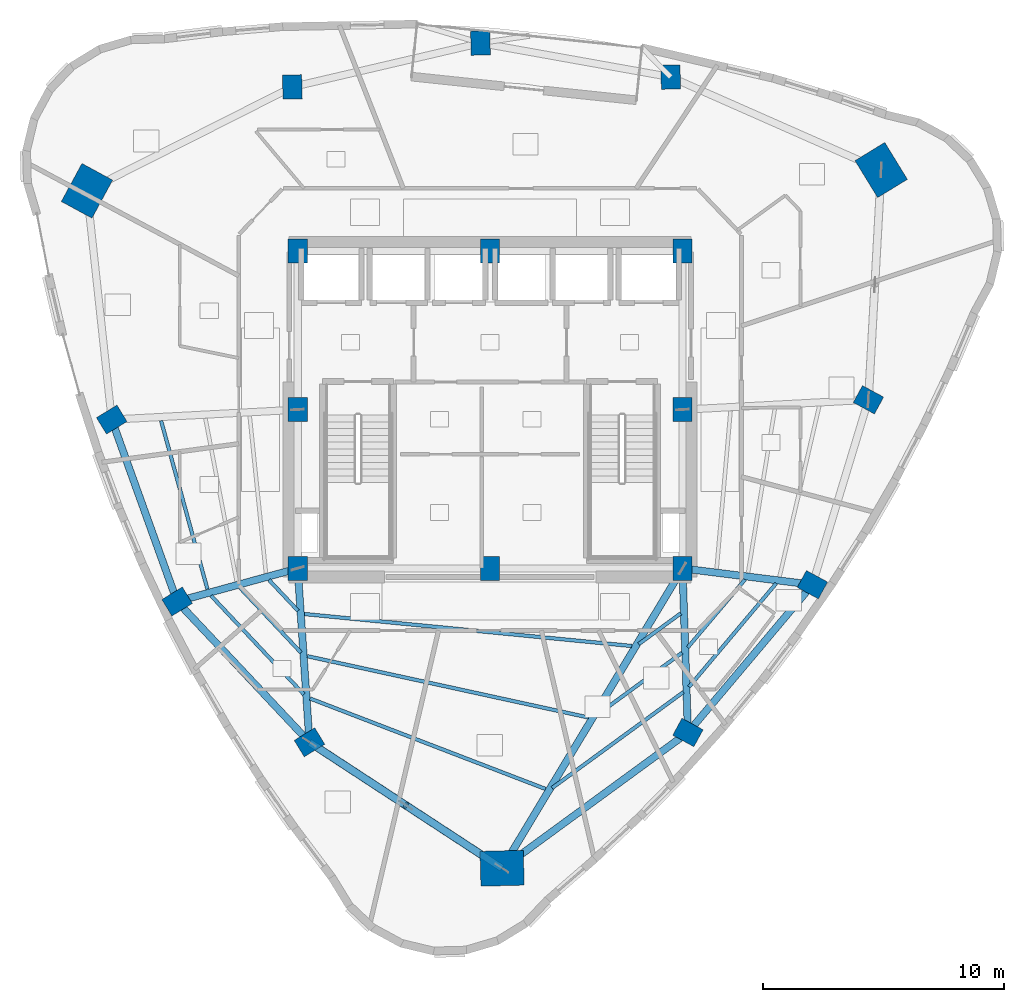
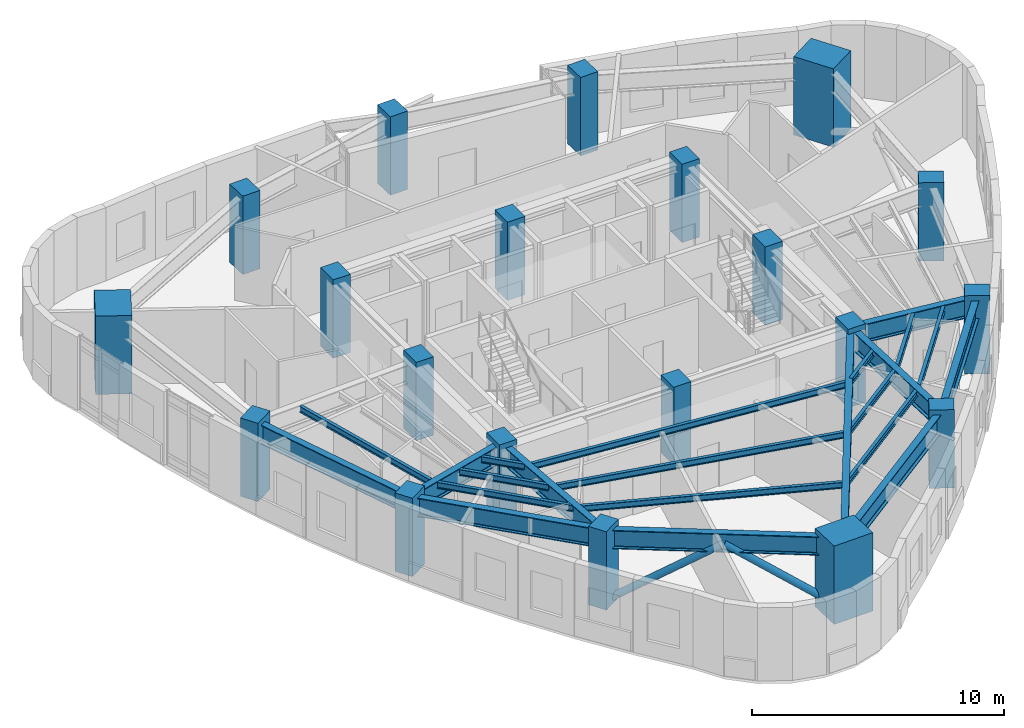
# One storey, part 1 of 16: 22 beams, 20 columns, 2 members.
"""IFC4 building model written with IfcOpenShell, lengths in metres."""

from ifc_helpers import new_model, si_unit, direction, frame, origin, origin_2d, place, context, subcontext, project, spatial, rectangle, hollow_circle, i_section, extrude, material, material_profile, profile_set, type_object, element, save


model = new_model("IFC4")

# Units and contexts
model_context = context("Model", 3, precision=1e-05, world=origin(), true_north=direction((0.0, 1.0)))
body_context = subcontext(model_context, "Body", "Model", "MODEL_VIEW")
ifc_project = project(units=[si_unit("LENGTHUNIT", "METRE"), si_unit("AREAUNIT", "SQUARE_METRE"), si_unit("VOLUMEUNIT", "CUBIC_METRE"), si_unit("PLANEANGLEUNIT", "RADIAN"), si_unit("MASSUNIT", "GRAM", prefix="KILO")], contexts=[model_context])

# Site, building, storey
site_placement = place(None, origin())
site = spatial("IfcSite", under=ifc_project, at=site_placement, CompositionType="ELEMENT")
building_placement = place(site_placement, origin())
building = spatial("IfcBuilding", under=site, at=building_placement, Name="Ndelora Gate Hotel", CompositionType="ELEMENT")
storey_placement = place(building_placement, frame((0.0, 0.0, 182.75)))
storey = spatial("IfcBuildingStorey", under=building, at=storey_placement, Name="L45", CompositionType="ELEMENT", Elevation=182.75)

# Columns
ifc_material_1 = material(Name="Concrete C50/60", Category="concrete")
ifc_material_profile_1 = material_profile(ifc_material_1, rectangle(XDim=0.800048828125, YDim=1.0, at=origin_2d()), Name="RC 1000x800")
ifc_profile_set_1 = profile_set([ifc_material_profile_1], Name="Concrete C50/60")
column_type_1 = type_object("IfcColumnType", Name="COL-CC-HI", PredefinedType="COLUMN", material=ifc_profile_set_1)
for number, where, z_axis, x_axis, name in (
    (1, (-8.0, -6.60009765625, 0.0), (0.0, 0.0, 1.0), (1.0, 0.0, 0.0), "L45 Core Column CC1"),
    (2, (0.0, -6.60009765625, 0.0), (0.0, 0.0, 1.0), (1.0, 0.0, 0.0), "L45 Core Column CC2"),
    (3, (8.0, -6.60009765625, 0.0), (0.0, 0.0, 1.0), (1.0, 0.0, 0.0), "L45 Core Column CC3"),
    (4, (8.0, 0.0, 0.0), (0.0, 0.0, 1.0), (1.0, 0.0, 0.0), "L45 Core Column CC4"),
    (5, (8.0, 6.60009765625, 0.0), (0.0, 0.0, 1.0), (1.0, 0.0, 0.0), "L45 Core Column CC5"),
    (6, (0.0, 6.60009765625, 0.0), (0.0, 0.0, 1.0), (1.0, 0.0, 0.0), "L45 Core Column CC6"),
    (7, (-8.0, 6.60009765625, 0.0), (0.0, 0.0, 1.0), (1.0, 0.0, 0.0), "L45 Core Column CC7"),
    (8, (-8.0, 0.0, 0.0), (0.0, 0.0, 1.0), (1.0, 0.0, 0.0), "L45 Core Column CC8"),
):
    element("IfcColumn", number, at=place(storey_placement, frame(where, z_axis=z_axis, x_axis=x_axis)), inside=storey, type_object=column_type_1, Name=name, PredefinedType="COLUMN", context=body_context, shape_type="SweptSolid", body=[
        extrude(rectangle(XDim=0.800048828125, YDim=1.0, at=origin_2d()), origin(), (0.0, 0.0, 1.0), 3.800048828125),
    ])
ifc_material_profile_2 = material_profile(ifc_material_1, rectangle(XDim=1.449951171875, YDim=1.800048828125, at=origin_2d()), Name="RC 1800x1450")
ifc_profile_set_2 = profile_set([ifc_material_profile_2], Name="Concrete C50/60")
column_type_2 = type_object("IfcColumnType", Name="COL-MC-Z3", PredefinedType="COLUMN", material=ifc_profile_set_2)
for number, where, z_axis, x_axis, name in (
    (9, (-16.759521484375, 9.099609375, 0.0), (0.0, 0.0, 1.0), (-0.878817112662, 0.47715876026, 0.0), "L45 Corner Mega-Column R1"),
    (10, (0.499267578125, -19.064208984375, 0.0), (0.0, 0.0, 1.0), (-0.026176948308, 0.999657324976, 0.0), "L45 Corner Mega-Column R5"),
    (11, (16.26025390625, 9.96435546875, 0.0), (0.0, 0.0, 1.0), (0.852640164354, 0.522498564716, 0.0), "L45 Corner Mega-Column R9"),
):
    element("IfcColumn", number, at=place(storey_placement, frame(where, z_axis=z_axis, x_axis=x_axis)), inside=storey, type_object=column_type_2, Name=name, PredefinedType="COLUMN", context=body_context, shape_type="SweptSolid", body=[
        extrude(rectangle(XDim=1.449951171875, YDim=1.800048828125, at=origin_2d()), origin(), (0.0, 0.0, 1.0), 3.800048828125),
    ])
ifc_material_profile_3 = material_profile(ifc_material_1, rectangle(XDim=0.800048828125, YDim=1.0, at=origin_2d()), Name="RC 1000x800")
ifc_profile_set_3 = profile_set([ifc_material_profile_3], Name="Concrete C50/60")
column_type_3 = type_object("IfcColumnType", Name="COL-PT-Z3", PredefinedType="COLUMN", material=ifc_profile_set_3)
for number, where, z_axis, x_axis, name in (
    (12, (-15.72998046875, -0.411865234375, 0.0), (0.0, 0.0, 1.0), (-0.522498564716, 0.852640164354, 0.0), "L45 Perimeter Tube Column R2"),
    (13, (-13.011962890625, -7.973876953125, 0.0), (0.0, 0.0, 1.0), (-0.522498564716, 0.852640164354, 0.0), "L45 Perimeter Tube Column R3"),
    (14, (-7.50830078125, -13.828369140625, 0.0), (0.0, 0.0, 1.0), (-0.522498564716, 0.852640164354, 0.0), "L45 Perimeter Tube Column R4"),
    (15, (8.223876953125, -13.419921875, 0.0), (0.0, 0.0, 1.0), (0.47715876026, 0.878817112662, 0.0), "L45 Perimeter Tube Column R6"),
    (16, (13.400390625, -7.275634765625, 0.0), (0.0, 0.0, 1.0), (0.47715876026, 0.878817112662, 0.0), "L45 Perimeter Tube Column R7"),
    (17, (15.72998046875, 0.411865234375, 0.0), (0.0, 0.0, 1.0), (0.47715876026, 0.878817112662, 0.0), "L45 Perimeter Tube Column R8"),
    (18, (7.50830078125, 13.828369140625, 0.0), (0.0, 0.0, 1.0), (0.999657324976, 0.026176948308, 0.0), "L45 Perimeter Tube Column R10"),
    (19, (-0.399169921875, 15.242919921875, 0.0), (0.0, 0.0, 1.0), (0.999657324976, 0.026176948308, 0.0), "L45 Perimeter Tube Column R11"),
    (20, (-8.2216796875, 13.41650390625, 0.0), (0.0, 0.0, 1.0), (0.999657324976, 0.026176948308, 0.0), "L45 Perimeter Tube Column R12"),
):
    element("IfcColumn", number, at=place(storey_placement, frame(where, z_axis=z_axis, x_axis=x_axis)), inside=storey, type_object=column_type_3, Name=name, PredefinedType="COLUMN", context=body_context, shape_type="SweptSolid", body=[
        extrude(rectangle(XDim=0.800048828125, YDim=1.0, at=origin_2d()), origin(), (0.0, 0.0, 1.0), 3.800048828125),
    ])

# Beams
ifc_material_2 = material(Name="Steel S460", Category="steel")
ifc_material_profile_4 = material_profile(ifc_material_2, i_section(OverallWidth=0.300048828125, OverallDepth=0.89990234375, WebThickness=0.0185546875, FlangeThickness=0.034912109375, FilletRadius=0.030029296875, at=origin_2d()), Name="HEB 900")
ifc_profile_set_4 = profile_set([ifc_material_profile_4], Name="Steel S460")
beam_type_1 = type_object("IfcBeamType", Name="BM-BELT-900", PredefinedType="SPANDREL", material=ifc_profile_set_4)
beam_1_placement = place(storey_placement, frame((-15.72998046875, -0.411865234375, 3.10009765625), z_axis=(0.338244972382, -0.941058095262, 0.0), x_axis=(0.941058095262, 0.338244972382, 0.0)))
element("IfcBeam", 21, at=beam_1_placement, inside=storey, type_object=beam_type_1, Name="L45 Perimeter Spandrel Girder 2", PredefinedType="SPANDREL", context=body_context, shape_type="SweptSolid", body=[
    extrude(i_section(OverallWidth=0.300048828125, OverallDepth=0.89990234375, WebThickness=0.0185546875, FlangeThickness=0.034912109375, FilletRadius=0.030029296875, at=origin_2d()), origin(), (0.0, 0.0, 1.0), 8.03564453125),
])
beam_2_placement = place(storey_placement, frame((-13.011962890625, -7.973876953125, 3.10009765625), z_axis=(0.684939043371, -0.728600375285, 0.0), x_axis=(0.728600375285, 0.684939043371, 0.0)))
element("IfcBeam", 22, at=beam_2_placement, inside=storey, type_object=beam_type_1, Name="L45 Perimeter Spandrel Girder 3", PredefinedType="SPANDREL", context=body_context, shape_type="SweptSolid", body=[
    extrude(i_section(OverallWidth=0.300048828125, OverallDepth=0.89990234375, WebThickness=0.0185546875, FlangeThickness=0.034912109375, FilletRadius=0.030029296875, at=origin_2d()), origin(), (0.0, 0.0, 1.0), 8.03515625),
])
beam_3_placement = place(storey_placement, frame((-7.50830078125, -13.828369140625, 3.10009765625), z_axis=(0.836963769915, -0.547258300851, 0.0), x_axis=(0.547258300851, 0.836963769915, 0.0)))
element("IfcBeam", 23, at=beam_3_placement, inside=storey, type_object=beam_type_1, Name="L45 Perimeter Spandrel Girder 4", PredefinedType="SPANDREL", context=body_context, shape_type="SweptSolid", body=[
    extrude(i_section(OverallWidth=0.300048828125, OverallDepth=0.89990234375, WebThickness=0.0185546875, FlangeThickness=0.034912109375, FilletRadius=0.030029296875, at=origin_2d()), origin(), (0.0, 0.0, 1.0), 9.5673828125),
])
beam_4_placement = place(storey_placement, frame((0.499267578125, -19.064208984375, 3.10009765625), z_axis=(0.807421980226, 0.58997436033, 0.0), x_axis=(-0.58997436033, 0.807421980226, 0.0)))
element("IfcBeam", 24, at=beam_4_placement, inside=storey, type_object=beam_type_1, Name="L45 Perimeter Spandrel Girder 5", PredefinedType="SPANDREL", context=body_context, shape_type="SweptSolid", body=[
    extrude(i_section(OverallWidth=0.300048828125, OverallDepth=0.89990234375, WebThickness=0.0185546875, FlangeThickness=0.034912109375, FilletRadius=0.030029296875, at=origin_2d()), origin(), (0.0, 0.0, 1.0), 9.56689453125),
])
beam_5_placement = place(storey_placement, frame((8.223876953125, -13.419921875, 3.10009765625), z_axis=(0.644308845181, 0.764765396721, 0.0), x_axis=(-0.764765396721, 0.644308845181, 0.0)))
element("IfcBeam", 25, at=beam_5_placement, inside=storey, type_object=beam_type_1, Name="L45 Perimeter Spandrel Girder 6", PredefinedType="SPANDREL", context=body_context, shape_type="SweptSolid", body=[
    extrude(i_section(OverallWidth=0.300048828125, OverallDepth=0.89990234375, WebThickness=0.0185546875, FlangeThickness=0.034912109375, FilletRadius=0.030029296875, at=origin_2d()), origin(), (0.0, 0.0, 1.0), 8.0341796875),
])
beam_6_placement = place(storey_placement, frame((-8.0, -6.60009765625, 3.10009765625), z_axis=(-0.96442695542, -0.264349480157, 0.0), x_axis=(0.264349480157, -0.96442695542, 0.0)))
element("IfcBeam", 26, at=beam_6_placement, inside=storey, type_object=beam_type_1, Name="L45 Radial Floor Girder 3", PredefinedType="SPANDREL", context=body_context, shape_type="SweptSolid", body=[
    extrude(i_section(OverallWidth=0.300048828125, OverallDepth=0.89990234375, WebThickness=0.0185546875, FlangeThickness=0.034912109375, FilletRadius=0.030029296875, at=origin_2d()), origin(), (0.0, 0.0, 1.0), 5.19677734375),
])
beam_7_placement = place(storey_placement, frame((-8.0, -6.60009765625, 3.10009765625), z_axis=(0.067867612113, -0.997694335569, 0.0), x_axis=(0.997694335569, 0.067867612113, 0.0)))
element("IfcBeam", 27, at=beam_7_placement, inside=storey, type_object=beam_type_1, Name="L45 Radial Floor Girder 4", PredefinedType="SPANDREL", context=body_context, shape_type="SweptSolid", body=[
    extrude(i_section(OverallWidth=0.300048828125, OverallDepth=0.89990234375, WebThickness=0.0185546875, FlangeThickness=0.034912109375, FilletRadius=0.030029296875, at=origin_2d()), origin(), (0.0, 0.0, 1.0), 7.244873046875),
])
beam_8_placement = place(storey_placement, frame((8.0, -6.60009765625, 3.10009765625), z_axis=(-0.515620753203, -0.856816922607, 0.0), x_axis=(0.856816922607, -0.515620753203, 0.0)))
element("IfcBeam", 28, at=beam_8_placement, inside=storey, type_object=beam_type_1, Name="L45 Radial Floor Girder 5", PredefinedType="SPANDREL", context=body_context, shape_type="SweptSolid", body=[
    extrude(i_section(OverallWidth=0.300048828125, OverallDepth=0.89990234375, WebThickness=0.0185546875, FlangeThickness=0.034912109375, FilletRadius=0.030029296875, at=origin_2d()), origin(), (0.0, 0.0, 1.0), 14.546875),
])
beam_9_placement = place(storey_placement, frame((8.0, -6.60009765625, 3.10009765625), z_axis=(0.032809705109, -0.999461616697, 0.0), x_axis=(0.999461616697, 0.032809705109, 0.0)))
element("IfcBeam", 29, at=beam_9_placement, inside=storey, type_object=beam_type_1, Name="L45 Radial Floor Girder 6", PredefinedType="SPANDREL", context=body_context, shape_type="SweptSolid", body=[
    extrude(i_section(OverallWidth=0.300048828125, OverallDepth=0.89990234375, WebThickness=0.0185546875, FlangeThickness=0.034912109375, FilletRadius=0.030029296875, at=origin_2d()), origin(), (0.0, 0.0, 1.0), 6.823486328125),
])
beam_10_placement = place(storey_placement, frame((8.0, -6.60009765625, 3.10009765625), z_axis=(0.992266830725, -0.124123070552, 0.0), x_axis=(0.124123070552, 0.992266830725, 0.0)))
element("IfcBeam", 30, at=beam_10_placement, inside=storey, type_object=beam_type_1, Name="L45 Radial Floor Girder 7", PredefinedType="SPANDREL", context=body_context, shape_type="SweptSolid", body=[
    extrude(i_section(OverallWidth=0.300048828125, OverallDepth=0.89990234375, WebThickness=0.0185546875, FlangeThickness=0.034912109375, FilletRadius=0.030029296875, at=origin_2d()), origin(), (0.0, 0.0, 1.0), 5.4423828125),
])
ifc_material_3 = material(Name="Steel S355", Category="steel")
ifc_material_profile_5 = material_profile(ifc_material_3, i_section(OverallWidth=0.14990234375, OverallDepth=0.300048828125, WebThickness=0.007080078125, FlangeThickness=0.0107421875, FilletRadius=0.014892578125, at=origin_2d()), Name="IPE 300")
ifc_profile_set_5 = profile_set([ifc_material_profile_5], Name="Steel S355")
beam_type_2 = type_object("IfcBeamType", Name="BM-JST-300", PredefinedType="JOIST", material=ifc_profile_set_5)
beam_11_placement = place(storey_placement, frame((-13.677734375, -0.458984375, 3.39990234375), z_axis=(0.265229916295, -0.964185195646, 0.0), x_axis=(0.964185195646, 0.265229916295, 0.0)))
element("IfcBeam", 31, at=beam_11_placement, inside=storey, type_object=beam_type_2, Name="L45 Secondary Composite Floor Joist OUT-2", PredefinedType="JOIST", context=body_context, shape_type="SweptSolid", body=[
    extrude(i_section(OverallWidth=0.14990234375, OverallDepth=0.300048828125, WebThickness=0.007080078125, FlangeThickness=0.0107421875, FilletRadius=0.014892578125, at=origin_2d()), origin(), (0.0, 0.0, 1.0), 7.263671875),
])
beam_12_placement = place(storey_placement, frame((-9.193603515625, -7.07373046875, 3.39990234375), z_axis=(0.684968612299, -0.728572577143, 0.0), x_axis=(0.728572577143, 0.684968612299, 0.0)))
element("IfcBeam", 32, at=beam_12_placement, inside=storey, type_object=beam_type_2, Name="L45 Secondary Composite Floor Joist IN-3", PredefinedType="JOIST", context=body_context, shape_type="SweptSolid", body=[
    extrude(i_section(OverallWidth=0.14990234375, OverallDepth=0.300048828125, WebThickness=0.007080078125, FlangeThickness=0.0107421875, FilletRadius=0.014892578125, at=origin_2d()), origin(), (0.0, 0.0, 1.0), 1.769287109375),
])
beam_13_placement = place(storey_placement, frame((-10.396484375, -7.403564453125, 3.39990234375), z_axis=(0.684948565917, -0.72859142326, 0.0), x_axis=(0.72859142326, 0.684948565917, 0.0)))
element("IfcBeam", 33, at=beam_13_placement, inside=storey, type_object=beam_type_2, Name="L45 Secondary Composite Floor Joist MID-3", PredefinedType="JOIST", context=body_context, shape_type="SweptSolid", body=[
    extrude(i_section(OverallWidth=0.14990234375, OverallDepth=0.300048828125, WebThickness=0.007080078125, FlangeThickness=0.0107421875, FilletRadius=0.014892578125, at=origin_2d()), origin(), (0.0, 0.0, 1.0), 3.69775390625),
])
beam_14_placement = place(storey_placement, frame((-11.599365234375, -7.733154296875, 3.39990234375), z_axis=(0.684943641721, -0.728596052464, 0.0), x_axis=(0.728596052464, 0.684943641721, 0.0)))
element("IfcBeam", 34, at=beam_14_placement, inside=storey, type_object=beam_type_2, Name="L45 Secondary Composite Floor Joist OUT-3", PredefinedType="JOIST", context=body_context, shape_type="SweptSolid", body=[
    extrude(i_section(OverallWidth=0.14990234375, OverallDepth=0.300048828125, WebThickness=0.007080078125, FlangeThickness=0.0107421875, FilletRadius=0.014892578125, at=origin_2d()), origin(), (0.0, 0.0, 1.0), 5.62646484375),
])
beam_15_placement = place(storey_placement, frame((-7.712890625, -8.4951171875, 3.39990234375), z_axis=(0.995254065951, -0.097310555479, 0.0), x_axis=(0.097310555479, 0.995254065951, 0.0)))
element("IfcBeam", 35, at=beam_15_placement, inside=storey, type_object=beam_type_2, Name="L45 Secondary Composite Floor Joist IN-4", PredefinedType="JOIST", context=body_context, shape_type="SweptSolid", body=[
    extrude(i_section(OverallWidth=0.14990234375, OverallDepth=0.300048828125, WebThickness=0.007080078125, FlangeThickness=0.0107421875, FilletRadius=0.014892578125, at=origin_2d()), origin(), (0.0, 0.0, 1.0), 13.66845703125),
])
beam_16_placement = place(storey_placement, frame((-7.597900390625, -10.248291015625, 3.39990234375), z_axis=(0.977033064268, -0.21308775499, 0.0), x_axis=(0.21308775499, 0.977033064268, 0.0)))
element("IfcBeam", 36, at=beam_16_placement, inside=storey, type_object=beam_type_2, Name="L45 Secondary Composite Floor Joist MID-4", PredefinedType="JOIST", context=body_context, shape_type="SweptSolid", body=[
    extrude(i_section(OverallWidth=0.14990234375, OverallDepth=0.300048828125, WebThickness=0.007080078125, FlangeThickness=0.0107421875, FilletRadius=0.014892578125, at=origin_2d()), origin(), (0.0, 0.0, 1.0), 11.966064453125),
])
beam_17_placement = place(storey_placement, frame((-7.48681640625, -12.00634765625, 3.39990234375), z_axis=(0.933486573633, -0.358612348989, 0.0), x_axis=(0.358612348989, 0.933486573633, 0.0)))
element("IfcBeam", 37, at=beam_17_placement, inside=storey, type_object=beam_type_2, Name="L45 Secondary Composite Floor Joist OUT-4", PredefinedType="JOIST", context=body_context, shape_type="SweptSolid", body=[
    extrude(i_section(OverallWidth=0.14990234375, OverallDepth=0.300048828125, WebThickness=0.007080078125, FlangeThickness=0.0107421875, FilletRadius=0.014892578125, at=origin_2d()), origin(), (0.0, 0.0, 1.0), 10.484130859375),
])
beam_18_placement = place(storey_placement, frame((6.178955078125, -9.746337890625, 3.39990234375), z_axis=(0.807399377334, 0.590005292756, 0.0), x_axis=(-0.590005292756, 0.807399377334, 0.0)))
element("IfcBeam", 38, at=beam_18_placement, inside=storey, type_object=beam_type_2, Name="L45 Secondary Composite Floor Joist IN-5", PredefinedType="JOIST", context=body_context, shape_type="SweptSolid", body=[
    extrude(i_section(OverallWidth=0.14990234375, OverallDepth=0.300048828125, WebThickness=0.007080078125, FlangeThickness=0.0107421875, FilletRadius=0.014892578125, at=origin_2d()), origin(), (0.0, 0.0, 1.0), 2.16748046875),
])
beam_19_placement = place(storey_placement, frame((4.37890625, -12.73779296875, 3.39990234375), z_axis=(0.807414172297, 0.589985045891, 0.0), x_axis=(-0.589985045891, 0.807414172297, 0.0)))
element("IfcBeam", 39, at=beam_19_placement, inside=storey, type_object=beam_type_2, Name="L45 Secondary Composite Floor Joist MID-5", PredefinedType="JOIST", context=body_context, shape_type="SweptSolid", body=[
    extrude(i_section(OverallWidth=0.14990234375, OverallDepth=0.300048828125, WebThickness=0.007080078125, FlangeThickness=0.0107421875, FilletRadius=0.014892578125, at=origin_2d()), origin(), (0.0, 0.0, 1.0), 4.46337890625),
])
beam_20_placement = place(storey_placement, frame((2.57861328125, -15.72900390625, 3.39990234375), z_axis=(0.807431488224, 0.589961347737, 0.0), x_axis=(-0.589961347737, 0.807431488224, 0.0)))
element("IfcBeam", 40, at=beam_20_placement, inside=storey, type_object=beam_type_2, Name="L45 Secondary Composite Floor Joist OUT-5", PredefinedType="JOIST", context=body_context, shape_type="SweptSolid", body=[
    extrude(i_section(OverallWidth=0.14990234375, OverallDepth=0.300048828125, WebThickness=0.007080078125, FlangeThickness=0.0107421875, FilletRadius=0.014892578125, at=origin_2d()), origin(), (0.0, 0.0, 1.0), 6.759521484375),
])
beam_21_placement = place(storey_placement, frame((8.215087890625, -9.8876953125, 3.39990234375), z_axis=(0.644312644932, 0.764762195445, 0.0), x_axis=(-0.764762195445, 0.644312644932, 0.0)))
element("IfcBeam", 41, at=beam_21_placement, inside=storey, type_object=beam_type_2, Name="L45 Secondary Composite Floor Joist MID-6", PredefinedType="JOIST", context=body_context, shape_type="SweptSolid", body=[
    extrude(i_section(OverallWidth=0.14990234375, OverallDepth=0.300048828125, WebThickness=0.007080078125, FlangeThickness=0.0107421875, FilletRadius=0.014892578125, at=origin_2d()), origin(), (0.0, 0.0, 1.0), 3.697021484375),
])
beam_22_placement = place(storey_placement, frame((8.268798828125, -11.5244140625, 3.39990234375), z_axis=(0.644294776781, 0.764777249017, 0.0), x_axis=(-0.764777249017, 0.644294776781, 0.0)))
element("IfcBeam", 42, at=beam_22_placement, inside=storey, type_object=beam_type_2, Name="L45 Secondary Composite Floor Joist OUT-6", PredefinedType="JOIST", context=body_context, shape_type="SweptSolid", body=[
    extrude(i_section(OverallWidth=0.14990234375, OverallDepth=0.300048828125, WebThickness=0.007080078125, FlangeThickness=0.0107421875, FilletRadius=0.014892578125, at=origin_2d()), origin(), (0.0, 0.0, 1.0), 5.625244140625),
])

# Members
ifc_material_profile_6 = material_profile(ifc_material_3, hollow_circle(Radius=0.161865234375, WallThickness=0.01611328125, at=origin_2d()), Name="CHS 323.9x16")
ifc_profile_set_6 = profile_set([ifc_material_profile_6], Name="Steel S355")
member_type = type_object("IfcMemberType", Name="MB-TUBE-324", PredefinedType="BRACE", material=ifc_profile_set_6)
for number, where, z_axis, x_axis, name in (
    (43, (-7.50830078125, -13.828369140625, 0.02001953125), (0.710410062042, -0.46449555459, 0.528735683981), (0.547246612916, 0.836971412088, 0.0), "L45 Perimeter Braced-Tube Diagonal 4A"),
    (44, (0.499267578125, -19.064208984375, 0.02001953125), (-0.710388605042, 0.464509848885, 0.528751955189), (-0.547269989178, -0.836956127252, 0.0), "L45 Perimeter Braced-Tube Diagonal 4B"),
):
    element("IfcMember", number, at=place(storey_placement, frame(where, z_axis=z_axis, x_axis=x_axis)), inside=storey, type_object=member_type, Name=name, PredefinedType="BRACE", context=body_context, shape_type="SweptSolid", body=[
        extrude(hollow_circle(Radius=0.161865234375, WallThickness=0.01611328125, at=origin_2d()), origin(), (0.0, 0.0, 1.0), 5.635986328125),
    ])

save(model, "model.ifc")
